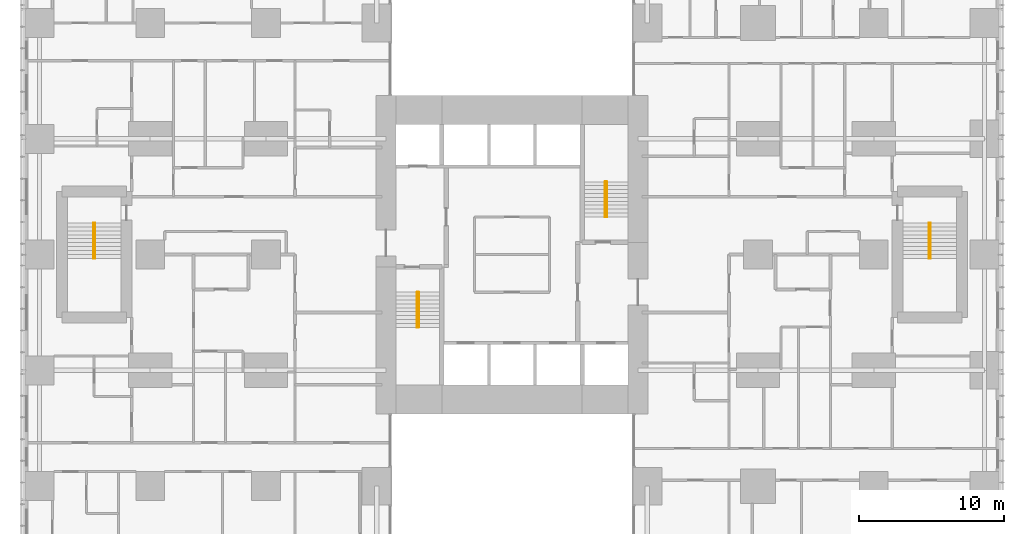
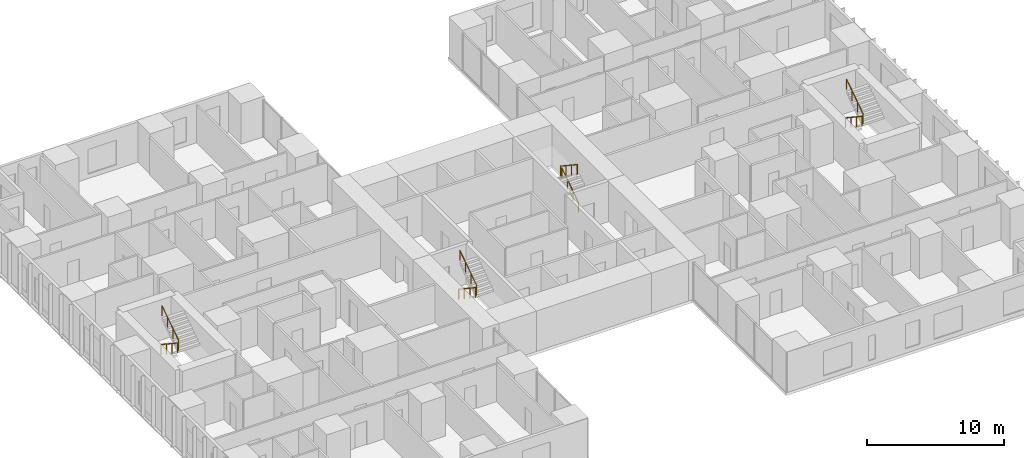
# One storey, part 20 of 20: 8 railings.
"""IFC4 building model written with IfcOpenShell, lengths in metres."""

from ifc_helpers import new_model, si_unit, direction, frame, origin, origin_2d, place, context, subcontext, project, spatial, circle, extrude, material, type_object, element, save


model = new_model("IFC4")

# Units and contexts
model_context = context("Model", 3, precision=1e-05, world=origin(), true_north=direction((0.0, 1.0)))
body_context = subcontext(model_context, "Body", "Model", "MODEL_VIEW")
ifc_project = project(units=[si_unit("LENGTHUNIT", "METRE"), si_unit("AREAUNIT", "SQUARE_METRE"), si_unit("VOLUMEUNIT", "CUBIC_METRE"), si_unit("PLANEANGLEUNIT", "RADIAN"), si_unit("MASSUNIT", "GRAM", prefix="KILO")], contexts=[model_context])

# Site, building, storey
site_placement = place(None, origin())
site = spatial("IfcSite", under=ifc_project, at=site_placement, CompositionType="ELEMENT")
building_placement = place(site_placement, origin())
building = spatial("IfcBuilding", under=site, at=building_placement, Name="Cleftline Residences", CompositionType="ELEMENT")
storey_placement = place(building_placement, frame((0.0, 0.0, 146.60009765625)))
storey = spatial("IfcBuildingStorey", under=building, at=storey_placement, Name="L38", CompositionType="ELEMENT", Elevation=146.60009765625)

# Railings
ifc_material = material(Name="Stainless steel", Category="steel")
railing_type = type_object("IfcRailingType", Name="HANDRAIL 900", PredefinedType="HANDRAIL", material=ifc_material)
railing_1_placement = place(storey_placement, frame((26.449951171875, 21.39990234375, 0.179931640625)))
element("IfcRailing", 1, at=railing_1_placement, inside=storey, type_object=railing_type, Name="Stair handrail", PredefinedType="HANDRAIL", context=body_context, shape_type="SweptSolid", body=[
    extrude(circle(Radius=0.02392578125, at=origin_2d()), frame((0.0, 0.0, 0.8759765625), z_axis=(0.0, -0.832063155534, 0.554680903946), x_axis=(1.0, 0.0, 0.0)), (0.0, 0.0, 1.0), 2.92041015625),
    extrude(circle(Radius=0.02099609375, at=origin_2d()), origin(), (0.0, 0.0, 1.0), 0.851806640625),
    extrude(circle(Radius=0.02099609375, at=origin_2d()), frame((0.0, -0.81005859375, 0.5400390625)), (0.0, 0.0, 1.0), 0.851806640625),
    extrude(circle(Radius=0.02099609375, at=origin_2d()), frame((0.0, -1.619873046875, 1.079833984375)), (0.0, 0.0, 1.0), 0.851806640625),
    extrude(circle(Radius=0.02099609375, at=origin_2d()), frame((0.0, -2.429931640625, 1.619873046875)), (0.0, 0.0, 1.0), 0.851806640625),
])
for number, where, name in (
    (2, (26.550048828125, 18.969970703125, 1.97998046875), "Stair handrail"),
    (3, (39.550048828125, 26.60009765625, 0.179931640625), "Stair handrail"),
):
    element("IfcRailing", number, at=place(storey_placement, frame(where)), inside=storey, type_object=railing_type, Name=name, PredefinedType="HANDRAIL", context=body_context, shape_type="SweptSolid", body=[
        extrude(circle(Radius=0.02392578125, at=origin_2d()), frame((0.0, 0.0, 0.8759765625), z_axis=(0.0, 0.832063155534, 0.554680903946), x_axis=(-1.0, 0.0, 0.0)), (0.0, 0.0, 1.0), 2.92041015625),
        extrude(circle(Radius=0.02099609375, at=origin_2d()), origin(), (0.0, 0.0, 1.0), 0.851806640625),
        extrude(circle(Radius=0.02099609375, at=origin_2d()), frame((0.0, 0.81005859375, 0.5400390625)), (0.0, 0.0, 1.0), 0.851806640625),
        extrude(circle(Radius=0.02099609375, at=origin_2d()), frame((0.0, 1.619873046875, 1.079833984375)), (0.0, 0.0, 1.0), 0.851806640625),
        extrude(circle(Radius=0.02099609375, at=origin_2d()), frame((0.0, 2.429931640625, 1.619873046875)), (0.0, 0.0, 1.0), 0.851806640625),
    ])
for number, where, name in (
    (4, (39.449951171875, 29.030029296875, 1.97998046875), "Stair handrail"),
    (5, (61.824951171875, 26.175048828125, 0.179931640625), "Stair handrail"),
):
    element("IfcRailing", number, at=place(storey_placement, frame(where)), inside=storey, type_object=railing_type, Name=name, PredefinedType="HANDRAIL", context=body_context, shape_type="SweptSolid", body=[
        extrude(circle(Radius=0.02392578125, at=origin_2d()), frame((0.0, 0.0, 0.8759765625), z_axis=(0.0, -0.832063155534, 0.554680903946), x_axis=(1.0, 0.0, 0.0)), (0.0, 0.0, 1.0), 2.92041015625),
        extrude(circle(Radius=0.02099609375, at=origin_2d()), origin(), (0.0, 0.0, 1.0), 0.851806640625),
        extrude(circle(Radius=0.02099609375, at=origin_2d()), frame((0.0, -0.81005859375, 0.5400390625)), (0.0, 0.0, 1.0), 0.851806640625),
        extrude(circle(Radius=0.02099609375, at=origin_2d()), frame((0.0, -1.619873046875, 1.079833984375)), (0.0, 0.0, 1.0), 0.851806640625),
        extrude(circle(Radius=0.02099609375, at=origin_2d()), frame((0.0, -2.429931640625, 1.619873046875)), (0.0, 0.0, 1.0), 0.851806640625),
    ])
railing_2_placement = place(storey_placement, frame((61.925048828125, 23.7451171875, 1.97998046875)))
element("IfcRailing", 6, at=railing_2_placement, inside=storey, type_object=railing_type, Name="Stair handrail", PredefinedType="HANDRAIL", context=body_context, shape_type="SweptSolid", body=[
    extrude(circle(Radius=0.02392578125, at=origin_2d()), frame((0.0, 0.0, 0.8759765625), z_axis=(0.0, 0.832063155534, 0.554680903946), x_axis=(-1.0, 0.0, 0.0)), (0.0, 0.0, 1.0), 2.92041015625),
    extrude(circle(Radius=0.02099609375, at=origin_2d()), origin(), (0.0, 0.0, 1.0), 0.851806640625),
    extrude(circle(Radius=0.02099609375, at=origin_2d()), frame((0.0, 0.81005859375, 0.5400390625)), (0.0, 0.0, 1.0), 0.851806640625),
    extrude(circle(Radius=0.02099609375, at=origin_2d()), frame((0.0, 1.619873046875, 1.079833984375)), (0.0, 0.0, 1.0), 0.851806640625),
    extrude(circle(Radius=0.02099609375, at=origin_2d()), frame((0.0, 2.429931640625, 1.619873046875)), (0.0, 0.0, 1.0), 0.851806640625),
])
railing_3_placement = place(storey_placement, frame((4.074951171875, 26.175048828125, 0.179931640625)))
element("IfcRailing", 7, at=railing_3_placement, inside=storey, type_object=railing_type, Name="Stair handrail", PredefinedType="HANDRAIL", context=body_context, shape_type="SweptSolid", body=[
    extrude(circle(Radius=0.02392578125, at=origin_2d()), frame((0.0, 0.0, 0.8759765625), z_axis=(0.0, -0.832063155534, 0.554680903946), x_axis=(1.0, 0.0, 0.0)), (0.0, 0.0, 1.0), 2.92041015625),
    extrude(circle(Radius=0.02099609375, at=origin_2d()), origin(), (0.0, 0.0, 1.0), 0.851806640625),
    extrude(circle(Radius=0.02099609375, at=origin_2d()), frame((0.0, -0.81005859375, 0.5400390625)), (0.0, 0.0, 1.0), 0.851806640625),
    extrude(circle(Radius=0.02099609375, at=origin_2d()), frame((0.0, -1.619873046875, 1.079833984375)), (0.0, 0.0, 1.0), 0.851806640625),
    extrude(circle(Radius=0.02099609375, at=origin_2d()), frame((0.0, -2.429931640625, 1.619873046875)), (0.0, 0.0, 1.0), 0.851806640625),
])
railing_4_placement = place(storey_placement, frame((4.175048828125, 23.7451171875, 1.97998046875)))
element("IfcRailing", 8, at=railing_4_placement, inside=storey, type_object=railing_type, Name="Stair handrail", PredefinedType="HANDRAIL", context=body_context, shape_type="SweptSolid", body=[
    extrude(circle(Radius=0.02392578125, at=origin_2d()), frame((0.0, 0.0, 0.8759765625), z_axis=(0.0, 0.832063155534, 0.554680903946), x_axis=(-1.0, 0.0, 0.0)), (0.0, 0.0, 1.0), 2.92041015625),
    extrude(circle(Radius=0.02099609375, at=origin_2d()), origin(), (0.0, 0.0, 1.0), 0.851806640625),
    extrude(circle(Radius=0.02099609375, at=origin_2d()), frame((0.0, 0.81005859375, 0.5400390625)), (0.0, 0.0, 1.0), 0.851806640625),
    extrude(circle(Radius=0.02099609375, at=origin_2d()), frame((0.0, 1.619873046875, 1.079833984375)), (0.0, 0.0, 1.0), 0.851806640625),
    extrude(circle(Radius=0.02099609375, at=origin_2d()), frame((0.0, 2.429931640625, 1.619873046875)), (0.0, 0.0, 1.0), 0.851806640625),
])

save(model, "model.ifc")
